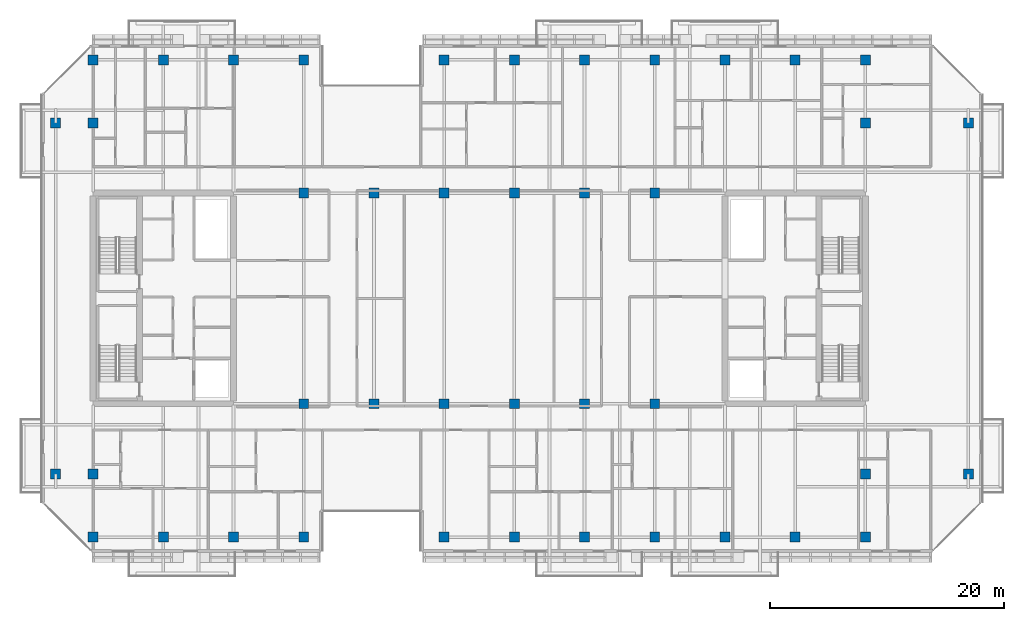
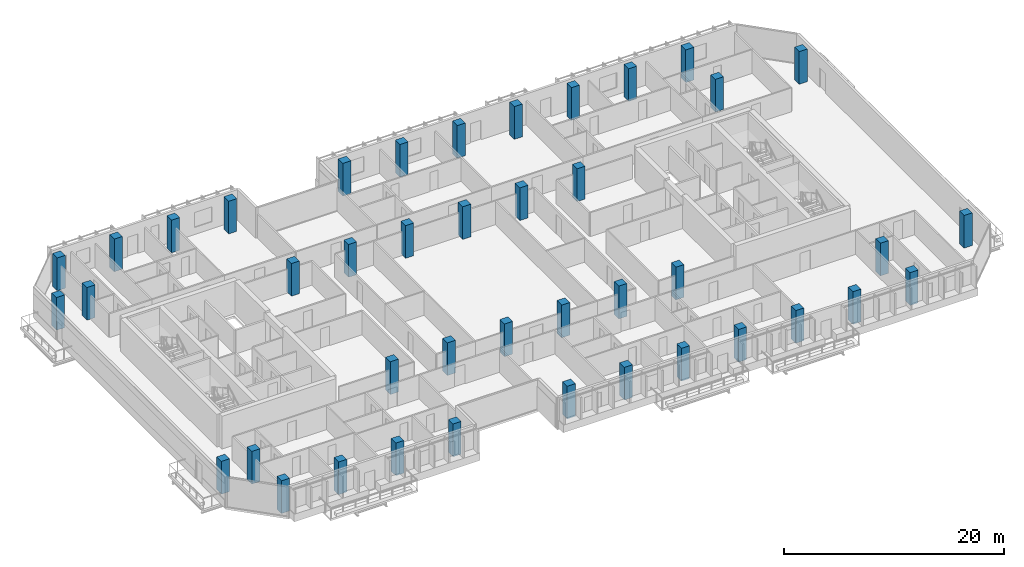
# One storey, part 1 of 30: 42 columns.
"""IFC4 building model written with IfcOpenShell, lengths in metres."""

from ifc_helpers import new_model, si_unit, direction, frame, origin, origin_2d, place, context, subcontext, project, spatial, rectangle, extrude, material, material_profile, profile_set, type_object, element, save


model = new_model("IFC4")

# Units and contexts
model_context = context("Model", 3, precision=1e-05, world=origin(), true_north=direction((0.0, 1.0)))
body_context = subcontext(model_context, "Body", "Model", "MODEL_VIEW")
ifc_project = project(units=[si_unit("LENGTHUNIT", "METRE"), si_unit("AREAUNIT", "SQUARE_METRE"), si_unit("VOLUMEUNIT", "CUBIC_METRE"), si_unit("PLANEANGLEUNIT", "RADIAN"), si_unit("MASSUNIT", "GRAM", prefix="KILO")], contexts=[model_context])

# Site, building, storey
site_placement = place(None, origin())
site = spatial("IfcSite", under=ifc_project, at=site_placement, CompositionType="ELEMENT")
building_placement = place(site_placement, origin())
building = spatial("IfcBuilding", under=site, at=building_placement, Name="Tanjung Sevakor Pilgrim Tower", CompositionType="ELEMENT")
storey_placement = place(building_placement, frame((0.0, 0.0, 165.659912109375)))
storey = spatial("IfcBuildingStorey", under=building, at=storey_placement, Name="L46", CompositionType="ELEMENT", Elevation=165.659912109375)

# Columns
ifc_material = material(Name="Concrete C60/75", Category="concrete")
ifc_material_profile = material_profile(ifc_material, rectangle(XDim=0.85009765625, YDim=0.85009765625, at=origin_2d()))
ifc_profile_set = profile_set([ifc_material_profile], Name="Concrete C60/75")
column_type = type_object("IfcColumnType", Name="COL-C-T850-RC_850x850", PredefinedType="COLUMN", material=ifc_profile_set)
for number, where, z_axis, x_axis, name in (
    (1, (42.0, 24.60009765625, 0.0), (0.0, 0.0, 1.0), (1.0, 0.0, 0.0), "L46 Column SPW-042-246"),
    (2, (42.0, 42.60009765625, 0.0), (0.0, 0.0, 1.0), (1.0, 0.0, 0.0), "L46 Column SPW-042-426"),
    (3, (48.0, 24.60009765625, 0.0), (0.0, 0.0, 1.0), (1.0, 0.0, 0.0), "L46 Column SPW-048-246"),
    (4, (48.0, 42.60009765625, 0.0), (0.0, 0.0, 1.0), (1.0, 0.0, 0.0), "L46 Column SPW-048-426"),
    (5, (54.0, 24.60009765625, 0.0), (0.0, 0.0, 1.0), (1.0, 0.0, 0.0), "L46 Column SPE-054-246"),
    (6, (54.0, 42.60009765625, 0.0), (0.0, 0.0, 1.0), (1.0, 0.0, 0.0), "L46 Column SPE-054-426"),
    (7, (60.0, 24.60009765625, 0.0), (0.0, 0.0, 1.0), (1.0, 0.0, 0.0), "L46 Column SPE-060-246"),
    (8, (60.0, 42.60009765625, 0.0), (0.0, 0.0, 1.0), (1.0, 0.0, 0.0), "L46 Column SPE-060-426"),
    (9, (66.0, 24.60009765625, 0.0), (0.0, 0.0, 1.0), (1.0, 0.0, 0.0), "L46 Column SPE-066-246"),
    (10, (66.0, 42.60009765625, 0.0), (0.0, 0.0, 1.0), (1.0, 0.0, 0.0), "L46 Column SPE-066-426"),
    (11, (72.0, 24.60009765625, 0.0), (0.0, 0.0, 1.0), (1.0, 0.0, 0.0), "L46 Column SPE-072-246"),
    (12, (72.0, 42.60009765625, 0.0), (0.0, 0.0, 1.0), (1.0, 0.0, 0.0), "L46 Column SPE-072-426"),
    (13, (20.800048828125, 18.60009765625, 0.0), (0.0, 0.0, 1.0), (1.0, 0.0, 0.0), "L46 Column TCE-0208-186"),
    (14, (20.800048828125, 48.60009765625, 0.0), (0.0, 0.0, 1.0), (1.0, 0.0, 0.0), "L46 Column TCE-0208-486"),
    (15, (24.0, 18.60009765625, 0.0), (0.0, 0.0, 1.0), (1.0, 0.0, 0.0), "L46 Column TCE-0240-186"),
    (16, (24.0, 48.60009765625, 0.0), (0.0, 0.0, 1.0), (1.0, 0.0, 0.0), "L46 Column TCE-0240-486"),
    (17, (90.0, 18.60009765625, 0.0), (0.0, 0.0, 1.0), (1.0, 0.0, 0.0), "L46 Column TCE-0900-186"),
    (18, (90.0, 48.60009765625, 0.0), (0.0, 0.0, 1.0), (1.0, 0.0, 0.0), "L46 Column TCE-0900-486"),
    (19, (98.800048828125, 18.60009765625, 0.0), (0.0, 0.0, 1.0), (1.0, 0.0, 0.0), "L46 Column TCE-0988-186"),
    (20, (98.800048828125, 48.60009765625, 0.0), (0.0, 0.0, 1.0), (1.0, 0.0, 0.0), "L46 Column TCE-0988-486"),
    (21, (24.0, 13.199951171875, 0.0), (0.0, 0.0, 1.0), (1.0, 0.0, 0.0), "L46 Column TC3-024-132"),
    (22, (24.0, 54.0, 0.0), (0.0, 0.0, 1.0), (1.0, 0.0, 0.0), "L46 Column TC3-024-540"),
    (23, (30.0, 13.199951171875, 0.0), (0.0, 0.0, 1.0), (1.0, 0.0, 0.0), "L46 Column TC3-030-132"),
    (24, (30.0, 54.0, 0.0), (0.0, 0.0, 1.0), (1.0, 0.0, 0.0), "L46 Column TC3-030-540"),
    (25, (36.0, 13.199951171875, 0.0), (0.0, 0.0, 1.0), (1.0, 0.0, 0.0), "L46 Column TC3-036-132"),
    (26, (36.0, 54.0, 0.0), (0.0, 0.0, 1.0), (1.0, 0.0, 0.0), "L46 Column TC3-036-540"),
    (27, (42.0, 13.199951171875, 0.0), (0.0, 0.0, 1.0), (1.0, 0.0, 0.0), "L46 Column TC3-042-132"),
    (28, (42.0, 54.0, 0.0), (0.0, 0.0, 1.0), (1.0, 0.0, 0.0), "L46 Column TC3-042-540"),
    (29, (54.0, 13.199951171875, 0.0), (0.0, 0.0, 1.0), (1.0, 0.0, 0.0), "L46 Column TC3-054-132"),
    (30, (54.0, 54.0, 0.0), (0.0, 0.0, 1.0), (1.0, 0.0, 0.0), "L46 Column TC3-054-540"),
    (31, (60.0, 13.199951171875, 0.0), (0.0, 0.0, 1.0), (1.0, 0.0, 0.0), "L46 Column TC3-060-132"),
    (32, (60.0, 54.0, 0.0), (0.0, 0.0, 1.0), (1.0, 0.0, 0.0), "L46 Column TC3-060-540"),
    (33, (66.0, 13.199951171875, 0.0), (0.0, 0.0, 1.0), (1.0, 0.0, 0.0), "L46 Column TC3-066-132"),
    (34, (66.0, 54.0, 0.0), (0.0, 0.0, 1.0), (1.0, 0.0, 0.0), "L46 Column TC3-066-540"),
    (35, (72.0, 13.199951171875, 0.0), (0.0, 0.0, 1.0), (1.0, 0.0, 0.0), "L46 Column TC3-072-132"),
    (36, (72.0, 54.0, 0.0), (0.0, 0.0, 1.0), (1.0, 0.0, 0.0), "L46 Column TC3-072-540"),
    (37, (78.0, 13.199951171875, 0.0), (0.0, 0.0, 1.0), (1.0, 0.0, 0.0), "L46 Column TC3-078-132"),
    (38, (78.0, 54.0, 0.0), (0.0, 0.0, 1.0), (1.0, 0.0, 0.0), "L46 Column TC3-078-540"),
    (39, (84.0, 13.199951171875, 0.0), (0.0, 0.0, 1.0), (1.0, 0.0, 0.0), "L46 Column TC3-084-132"),
    (40, (84.0, 54.0, 0.0), (0.0, 0.0, 1.0), (1.0, 0.0, 0.0), "L46 Column TC3-084-540"),
    (41, (90.0, 13.199951171875, 0.0), (0.0, 0.0, 1.0), (1.0, 0.0, 0.0), "L46 Column TC3-090-132"),
    (42, (90.0, 54.0, 0.0), (0.0, 0.0, 1.0), (1.0, 0.0, 0.0), "L46 Column TC3-090-540"),
):
    element("IfcColumn", number, at=place(storey_placement, frame(where, z_axis=z_axis, x_axis=x_axis)), inside=storey, type_object=column_type, Name=name, PredefinedType="COLUMN", context=body_context, shape_type="SweptSolid", body=[
        extrude(rectangle(XDim=0.85009765625, YDim=0.85009765625, at=origin_2d()), origin(), (0.0, 0.0, 1.0), 3.630126953125),
    ])

save(model, "model.ifc")
